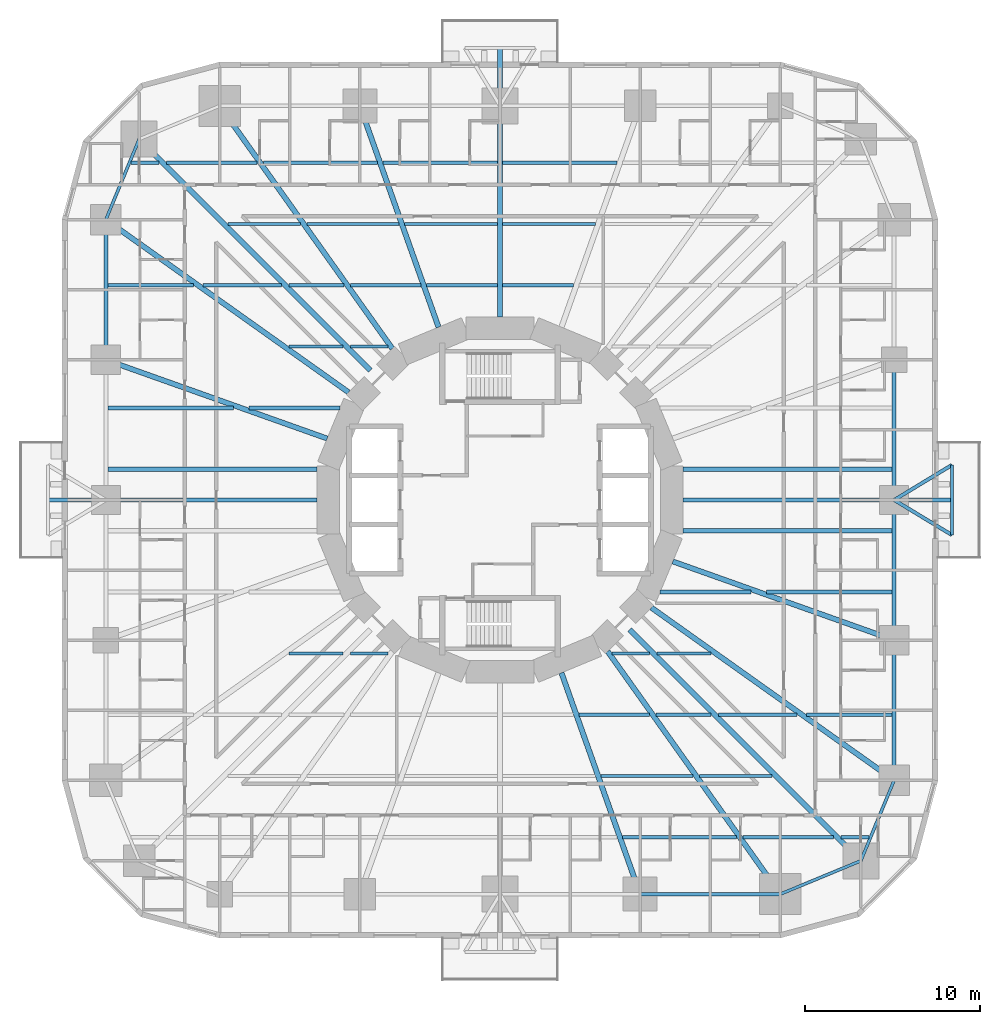
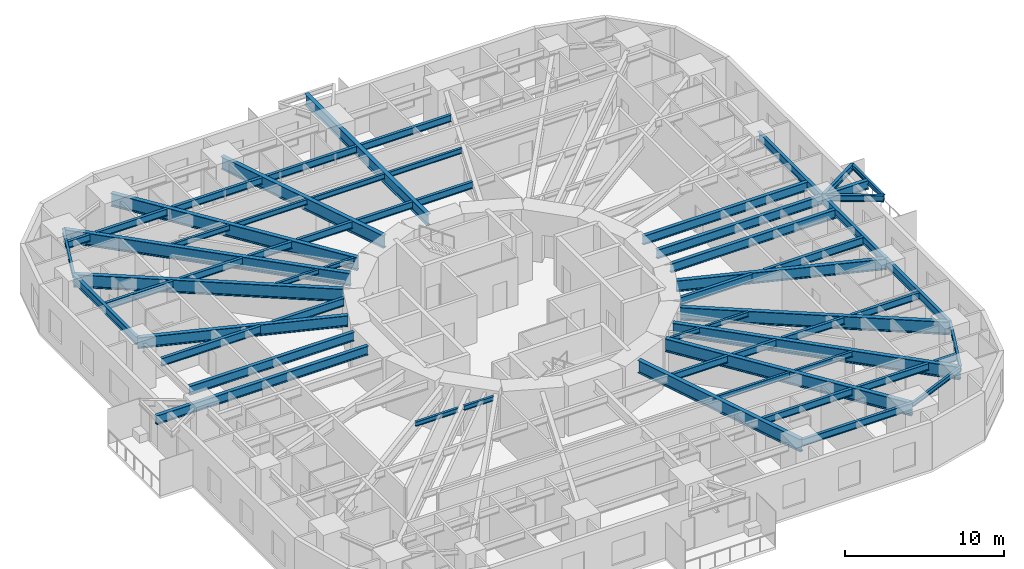
# One storey, part 2 of 14: 61 beams.
"""IFC4 building model written with IfcOpenShell, lengths in metres."""

from ifc_helpers import new_model, si_unit, direction, frame, origin, origin_2d, place, context, subcontext, project, spatial, i_section, extrude, material, material_profile, profile_set, type_object, element, save


model = new_model("IFC4")

# Units and contexts
model_context = context("Model", 3, precision=1e-05, world=origin(), true_north=direction((0.0, 1.0)))
body_context = subcontext(model_context, "Body", "Model", "MODEL_VIEW")
ifc_project = project(units=[si_unit("LENGTHUNIT", "METRE"), si_unit("AREAUNIT", "SQUARE_METRE"), si_unit("VOLUMEUNIT", "CUBIC_METRE"), si_unit("PLANEANGLEUNIT", "RADIAN"), si_unit("MASSUNIT", "GRAM", prefix="KILO")], contexts=[model_context])

# Site, building, storey
site_placement = place(None, origin())
site = spatial("IfcSite", under=ifc_project, at=site_placement, CompositionType="ELEMENT")
building_placement = place(site_placement, origin())
building = spatial("IfcBuilding", under=site, at=building_placement, Name="Nakasero Lantern House", CompositionType="ELEMENT")
storey_placement = place(building_placement, frame((0.0, 0.0, 46.800048828125)))
storey = spatial("IfcBuildingStorey", under=building, at=storey_placement, Name="L11", CompositionType="ELEMENT", Elevation=46.800048828125)

# Beams
ifc_material_1 = material(Name="Steel S355", Category="steel")
ifc_material_profile_1 = material_profile(ifc_material_1, i_section(OverallWidth=0.199462890625, OverallDepth=0.491943359375, WebThickness=0.01806640625, FlangeThickness=0.031982421875, FilletRadius=0.01025390625, at=origin_2d()), Name="UB 457x191x161")
ifc_profile_set_1 = profile_set([ifc_material_profile_1], Name="Steel S355")
beam_type_1 = type_object("IfcBeamType", Name="Balcony splay beam UB 457x191x161", PredefinedType="BEAM", material=ifc_profile_set_1)
for number, where, z_axis, x_axis, name in (
    (1, (22.5, 0.0, 3.404052734375), (0.855201230787, 0.518296107317, 0.0), (-0.518296107317, 0.855201230787, 0.0), "Balcony splay beam L12 B1-C03A"),
    (2, (22.5, 0.0, 3.404052734375), (0.855201230787, -0.518296107317, 0.0), (0.518296107317, 0.855201230787, 0.0), "Balcony splay beam L12 B1-C03B"),
):
    element("IfcBeam", number, at=place(storey_placement, frame(where, z_axis=z_axis, x_axis=x_axis)), inside=storey, type_object=beam_type_1, Name=name, PredefinedType="BEAM", context=body_context, shape_type="SweptSolid", body=[
        extrude(i_section(OverallWidth=0.199462890625, OverallDepth=0.491943359375, WebThickness=0.01806640625, FlangeThickness=0.031982421875, FilletRadius=0.01025390625, at=origin_2d()), origin(), (0.0, 0.0, 1.0), 3.85888671875),
    ])
ifc_material_2 = material(Name="Steel S355", Category="steel")
ifc_material_profile_2 = material_profile(ifc_material_2, i_section(OverallWidth=0.17138671875, OverallDepth=0.35498046875, WebThickness=0.00732421875, FlangeThickness=0.011474609375, FilletRadius=0.01025390625, at=origin_2d()), Name="UB 356x171x51")
ifc_profile_set_2 = profile_set([ifc_material_profile_2], Name="Steel S355")
beam_type_2 = type_object("IfcBeamType", Name="Balcony tie beam UB 356x171x51", PredefinedType="BEAM", material=ifc_profile_set_2)
beam_1_placement = place(storey_placement, frame((25.800048828125, 2.0, 3.472412109375), z_axis=(0.0, -1.0, 0.0), x_axis=(1.0, 0.0, 0.0)))
element("IfcBeam", 3, at=beam_1_placement, inside=storey, type_object=beam_type_2, Name="Balcony tie beam L12 B1-C03", PredefinedType="BEAM", context=body_context, shape_type="SweptSolid", body=[
    extrude(i_section(OverallWidth=0.17138671875, OverallDepth=0.35498046875, WebThickness=0.00732421875, FlangeThickness=0.011474609375, FilletRadius=0.01025390625, at=origin_2d()), origin(), (0.0, 0.0, 1.0), 4.0),
])
ifc_material_3 = material(Name="Steel S355", Category="steel")
ifc_material_profile_3 = material_profile(ifc_material_3, i_section(OverallWidth=0.17138671875, OverallDepth=0.35498046875, WebThickness=0.00732421875, FlangeThickness=0.011474609375, FilletRadius=0.01025390625, at=origin_2d()), Name="UB 356x171x51")
ifc_profile_set_3 = profile_set([ifc_material_profile_3], Name="Steel S355")
beam_type_3 = type_object("IfcBeamType", Name="Infill beam UB 356x171x51", PredefinedType="JOIST", material=ifc_profile_set_3)
beam_2_placement = place(storey_placement, frame((-12.0458984375, -8.75, 3.472412109375), z_axis=(1.0, 0.0, 0.0), x_axis=(0.0, 1.0, 0.0)))
element("IfcBeam", 4, at=beam_2_placement, inside=storey, type_object=beam_type_3, Name="Infill beam L12 05.1", PredefinedType="JOIST", context=body_context, shape_type="SweptSolid", body=[
    extrude(i_section(OverallWidth=0.17138671875, OverallDepth=0.35498046875, WebThickness=0.00732421875, FlangeThickness=0.011474609375, FilletRadius=0.01025390625, at=origin_2d()), origin(), (0.0, 0.0, 1.0), 3.083740234375),
])
for number, where, z_axis, x_axis, name in (
    (5, (-8.537841796875, -8.75, 3.472412109375), (1.0, 0.0, 0.0), (0.0, 1.0, 0.0), "Infill beam L12 05.2"),
    (6, (6.40625, -8.75, 3.472412109375), (1.0, 0.0, 0.0), (0.0, 1.0, 0.0), "Infill beam L12 05.3"),
):
    element("IfcBeam", number, at=place(storey_placement, frame(where, z_axis=z_axis, x_axis=x_axis)), inside=storey, type_object=beam_type_3, Name=name, PredefinedType="JOIST", context=body_context, shape_type="SweptSolid", body=[
        extrude(i_section(OverallWidth=0.17138671875, OverallDepth=0.35498046875, WebThickness=0.00732421875, FlangeThickness=0.011474609375, FilletRadius=0.01025390625, at=origin_2d()), origin(), (0.0, 0.0, 1.0), 2.131591796875),
    ])
for number, where, z_axis, x_axis, name in (
    (7, (8.962158203125, -8.75, 3.472412109375), (1.0, 0.0, 0.0), (0.0, 1.0, 0.0), "Infill beam L12 05.4"),
    (8, (-12.0458984375, 8.75, 3.472412109375), (1.0, 0.0, 0.0), (0.0, 1.0, 0.0), "Infill beam L12 10.1"),
):
    element("IfcBeam", number, at=place(storey_placement, frame(where, z_axis=z_axis, x_axis=x_axis)), inside=storey, type_object=beam_type_3, Name=name, PredefinedType="JOIST", context=body_context, shape_type="SweptSolid", body=[
        extrude(i_section(OverallWidth=0.17138671875, OverallDepth=0.35498046875, WebThickness=0.00732421875, FlangeThickness=0.011474609375, FilletRadius=0.01025390625, at=origin_2d()), origin(), (0.0, 0.0, 1.0), 3.083740234375),
    ])
beam_3_placement = place(storey_placement, frame((-8.537841796875, 8.75, 3.472412109375), z_axis=(1.0, 0.0, 0.0), x_axis=(0.0, 1.0, 0.0)))
element("IfcBeam", 9, at=beam_3_placement, inside=storey, type_object=beam_type_3, Name="Infill beam L12 10.2", PredefinedType="JOIST", context=body_context, shape_type="SweptSolid", body=[
    extrude(i_section(OverallWidth=0.17138671875, OverallDepth=0.35498046875, WebThickness=0.00732421875, FlangeThickness=0.011474609375, FilletRadius=0.01025390625, at=origin_2d()), origin(), (0.0, 0.0, 1.0), 2.131591796875),
])
ifc_material_4 = material(Name="Steel S355", Category="steel")
ifc_material_profile_4 = material_profile(ifc_material_4, i_section(OverallWidth=0.177978515625, OverallDepth=0.406494140625, WebThickness=0.0078125, FlangeThickness=0.0126953125, FilletRadius=0.01025390625, at=origin_2d()), Name="UB 406x178x60")
ifc_profile_set_4 = profile_set([ifc_material_profile_4], Name="Steel S355")
beam_type_4 = type_object("IfcBeamType", Name="Infill beam UB 406x178x60", PredefinedType="JOIST", material=ifc_profile_set_4)
beam_4_placement = place(storey_placement, frame((5.75927734375, -15.75, 3.44677734375), z_axis=(1.0, 0.0, 0.0), x_axis=(0.0, 1.0, 0.0)))
element("IfcBeam", 10, at=beam_4_placement, inside=storey, type_object=beam_type_4, Name="Infill beam L12 03.5", PredefinedType="JOIST", context=body_context, shape_type="SweptSolid", body=[
    extrude(i_section(OverallWidth=0.177978515625, OverallDepth=0.406494140625, WebThickness=0.0078125, FlangeThickness=0.0126953125, FilletRadius=0.01025390625, at=origin_2d()), origin(), (0.0, 0.0, 1.0), 5.256591796875),
])
for number, where, z_axis, x_axis, name in (
    (11, (11.384033203125, -15.75, 3.44677734375), (1.0, 0.0, 0.0), (0.0, 1.0, 0.0), "Infill beam L12 03.6"),
    (12, (-15.537841796875, 15.75, 3.44677734375), (1.0, 0.0, 0.0), (0.0, 1.0, 0.0), "Infill beam L12 12.1"),
):
    element("IfcBeam", number, at=place(storey_placement, frame(where, z_axis=z_axis, x_axis=x_axis)), inside=storey, type_object=beam_type_4, Name=name, PredefinedType="JOIST", context=body_context, shape_type="SweptSolid", body=[
        extrude(i_section(OverallWidth=0.177978515625, OverallDepth=0.406494140625, WebThickness=0.0078125, FlangeThickness=0.0126953125, FilletRadius=0.01025390625, at=origin_2d()), origin(), (0.0, 0.0, 1.0), 4.15380859375),
    ])
beam_5_placement = place(storey_placement, frame((-11.015869140625, 15.75, 3.44677734375), z_axis=(1.0, 0.0, 0.0), x_axis=(0.0, 1.0, 0.0)))
element("IfcBeam", 13, at=beam_5_placement, inside=storey, type_object=beam_type_4, Name="Infill beam L12 12.2", PredefinedType="JOIST", context=body_context, shape_type="SweptSolid", body=[
    extrude(i_section(OverallWidth=0.177978515625, OverallDepth=0.406494140625, WebThickness=0.0078125, FlangeThickness=0.0126953125, FilletRadius=0.01025390625, at=origin_2d()), origin(), (0.0, 0.0, 1.0), 5.256591796875),
])
for number, where, z_axis, x_axis, name in (
    (14, (-5.44091796875, 15.75, 3.44677734375), (1.0, 0.0, 0.0), (0.0, 1.0, 0.0), "Infill beam L12 12.3"),
    (15, (0.146240234375, 15.75, 3.44677734375), (1.0, 0.0, 0.0), (0.0, 1.0, 0.0), "Infill beam L12 12.4"),
):
    element("IfcBeam", number, at=place(storey_placement, frame(where, z_axis=z_axis, x_axis=x_axis)), inside=storey, type_object=beam_type_4, Name=name, PredefinedType="JOIST", context=body_context, shape_type="SweptSolid", body=[
        extrude(i_section(OverallWidth=0.177978515625, OverallDepth=0.406494140625, WebThickness=0.0078125, FlangeThickness=0.0126953125, FilletRadius=0.01025390625, at=origin_2d()), origin(), (0.0, 0.0, 1.0), 5.294677734375),
    ])
ifc_material_5 = material(Name="Steel S355", Category="steel")
ifc_material_profile_5 = material_profile(ifc_material_5, i_section(OverallWidth=0.208740234375, OverallDepth=0.5283203125, WebThickness=0.009521484375, FlangeThickness=0.01318359375, FilletRadius=0.0126953125, at=origin_2d()), Name="UB 533x210x82")
ifc_profile_set_5 = profile_set([ifc_material_profile_5], Name="Steel S355")
beam_type_5 = type_object("IfcBeamType", Name="Infill beam UB 533x210x82", PredefinedType="JOIST", material=ifc_profile_set_5)
beam_6_placement = place(storey_placement, frame((7.003662109375, -19.25, 3.3857421875), z_axis=(1.0, 0.0, 0.0), x_axis=(0.0, 1.0, 0.0)))
element("IfcBeam", 16, at=beam_6_placement, inside=storey, type_object=beam_type_5, Name="Infill beam L12 02.6", PredefinedType="JOIST", context=body_context, shape_type="SweptSolid", body=[
    extrude(i_section(OverallWidth=0.208740234375, OverallDepth=0.5283203125, WebThickness=0.009521484375, FlangeThickness=0.01318359375, FilletRadius=0.0126953125, at=origin_2d()), origin(), (0.0, 0.0, 1.0), 6.501220703125),
])
beam_7_placement = place(storey_placement, frame((13.873046875, -19.25, 3.3857421875), z_axis=(1.0, 0.0, 0.0), x_axis=(0.0, 1.0, 0.0)))
element("IfcBeam", 17, at=beam_7_placement, inside=storey, type_object=beam_type_5, Name="Infill beam L12 02.7", PredefinedType="JOIST", context=body_context, shape_type="SweptSolid", body=[
    extrude(i_section(OverallWidth=0.208740234375, OverallDepth=0.5283203125, WebThickness=0.009521484375, FlangeThickness=0.01318359375, FilletRadius=0.0126953125, at=origin_2d()), origin(), (0.0, 0.0, 1.0), 5.164794921875),
])
beam_8_placement = place(storey_placement, frame((19.462158203125, -19.25, 3.3857421875), z_axis=(1.0, 0.0, 0.0), x_axis=(0.0, 1.0, 0.0)))
element("IfcBeam", 18, at=beam_8_placement, inside=storey, type_object=beam_type_5, Name="Infill beam L12 02.8", PredefinedType="JOIST", context=body_context, shape_type="SweptSolid", body=[
    extrude(i_section(OverallWidth=0.208740234375, OverallDepth=0.5283203125, WebThickness=0.009521484375, FlangeThickness=0.01318359375, FilletRadius=0.0126953125, at=origin_2d()), origin(), (0.0, 0.0, 1.0), 1.598876953125),
])
beam_9_placement = place(storey_placement, frame((4.5146484375, -12.25, 3.3857421875), z_axis=(1.0, 0.0, 0.0), x_axis=(0.0, 1.0, 0.0)))
element("IfcBeam", 19, at=beam_9_placement, inside=storey, type_object=beam_type_5, Name="Infill beam L12 04.7", PredefinedType="JOIST", context=body_context, shape_type="SweptSolid", body=[
    extrude(i_section(OverallWidth=0.208740234375, OverallDepth=0.5283203125, WebThickness=0.009521484375, FlangeThickness=0.01318359375, FilletRadius=0.0126953125, at=origin_2d()), origin(), (0.0, 0.0, 1.0), 4.012451171875),
])
beam_10_placement = place(storey_placement, frame((8.895263671875, -12.25, 3.3857421875), z_axis=(1.0, 0.0, 0.0), x_axis=(0.0, 1.0, 0.0)))
element("IfcBeam", 20, at=beam_10_placement, inside=storey, type_object=beam_type_5, Name="Infill beam L12 04.8", PredefinedType="JOIST", context=body_context, shape_type="SweptSolid", body=[
    extrude(i_section(OverallWidth=0.208740234375, OverallDepth=0.5283203125, WebThickness=0.009521484375, FlangeThickness=0.01318359375, FilletRadius=0.0126953125, at=origin_2d()), origin(), (0.0, 0.0, 1.0), 3.142578125),
])
beam_11_placement = place(storey_placement, frame((12.462158203125, -12.25, 3.3857421875), z_axis=(1.0, 0.0, 0.0), x_axis=(0.0, 1.0, 0.0)))
element("IfcBeam", 21, at=beam_11_placement, inside=storey, type_object=beam_type_5, Name="Infill beam L12 04.9", PredefinedType="JOIST", context=body_context, shape_type="SweptSolid", body=[
    extrude(i_section(OverallWidth=0.208740234375, OverallDepth=0.5283203125, WebThickness=0.009521484375, FlangeThickness=0.01318359375, FilletRadius=0.0126953125, at=origin_2d()), origin(), (0.0, 0.0, 1.0), 4.505615234375),
])
for number, where, z_axis, x_axis, name in (
    (22, (17.4853515625, -12.25, 3.3857421875), (1.0, 0.0, 0.0), (0.0, 1.0, 0.0), "Infill beam L12 04.10"),
    (23, (-22.385498046875, 12.25, 3.3857421875), (1.0, 0.0, 0.0), (0.0, 1.0, 0.0), "Infill beam L12 11.1"),
):
    element("IfcBeam", number, at=place(storey_placement, frame(where, z_axis=z_axis, x_axis=x_axis)), inside=storey, type_object=beam_type_5, Name=name, PredefinedType="JOIST", context=body_context, shape_type="SweptSolid", body=[
        extrude(i_section(OverallWidth=0.208740234375, OverallDepth=0.5283203125, WebThickness=0.009521484375, FlangeThickness=0.01318359375, FilletRadius=0.0126953125, at=origin_2d()), origin(), (0.0, 0.0, 1.0), 4.900146484375),
    ])
beam_12_placement = place(storey_placement, frame((-16.9677734375, 12.25, 3.3857421875), z_axis=(1.0, 0.0, 0.0), x_axis=(0.0, 1.0, 0.0)))
element("IfcBeam", 24, at=beam_12_placement, inside=storey, type_object=beam_type_5, Name="Infill beam L12 11.2", PredefinedType="JOIST", context=body_context, shape_type="SweptSolid", body=[
    extrude(i_section(OverallWidth=0.208740234375, OverallDepth=0.5283203125, WebThickness=0.009521484375, FlangeThickness=0.01318359375, FilletRadius=0.0126953125, at=origin_2d()), origin(), (0.0, 0.0, 1.0), 4.505615234375),
])
beam_13_placement = place(storey_placement, frame((-12.037841796875, 12.25, 3.3857421875), z_axis=(1.0, 0.0, 0.0), x_axis=(0.0, 1.0, 0.0)))
element("IfcBeam", 25, at=beam_13_placement, inside=storey, type_object=beam_type_5, Name="Infill beam L12 11.3", PredefinedType="JOIST", context=body_context, shape_type="SweptSolid", body=[
    extrude(i_section(OverallWidth=0.208740234375, OverallDepth=0.5283203125, WebThickness=0.009521484375, FlangeThickness=0.01318359375, FilletRadius=0.0126953125, at=origin_2d()), origin(), (0.0, 0.0, 1.0), 3.142578125),
])
beam_14_placement = place(storey_placement, frame((-8.527099609375, 12.25, 3.3857421875), z_axis=(1.0, 0.0, 0.0), x_axis=(0.0, 1.0, 0.0)))
element("IfcBeam", 26, at=beam_14_placement, inside=storey, type_object=beam_type_5, Name="Infill beam L12 11.4", PredefinedType="JOIST", context=body_context, shape_type="SweptSolid", body=[
    extrude(i_section(OverallWidth=0.208740234375, OverallDepth=0.5283203125, WebThickness=0.009521484375, FlangeThickness=0.01318359375, FilletRadius=0.0126953125, at=origin_2d()), origin(), (0.0, 0.0, 1.0), 4.012451171875),
])
for number, where, z_axis, x_axis, name in (
    (27, (-4.1962890625, 12.25, 3.3857421875), (1.0, 0.0, 0.0), (0.0, 1.0, 0.0), "Infill beam L12 11.5"),
    (28, (0.146240234375, 12.25, 3.3857421875), (1.0, 0.0, 0.0), (0.0, 1.0, 0.0), "Infill beam L12 11.6"),
):
    element("IfcBeam", number, at=place(storey_placement, frame(where, z_axis=z_axis, x_axis=x_axis)), inside=storey, type_object=beam_type_5, Name=name, PredefinedType="JOIST", context=body_context, shape_type="SweptSolid", body=[
        extrude(i_section(OverallWidth=0.208740234375, OverallDepth=0.5283203125, WebThickness=0.009521484375, FlangeThickness=0.01318359375, FilletRadius=0.0126953125, at=origin_2d()), origin(), (0.0, 0.0, 1.0), 4.050048828125),
    ])
beam_15_placement = place(storey_placement, frame((-21.06103515625, 19.25, 3.3857421875), z_axis=(1.0, 0.0, 0.0), x_axis=(0.0, 1.0, 0.0)))
element("IfcBeam", 29, at=beam_15_placement, inside=storey, type_object=beam_type_5, Name="Infill beam L12 13.1", PredefinedType="JOIST", context=body_context, shape_type="SweptSolid", body=[
    extrude(i_section(OverallWidth=0.208740234375, OverallDepth=0.5283203125, WebThickness=0.009521484375, FlangeThickness=0.01318359375, FilletRadius=0.0126953125, at=origin_2d()), origin(), (0.0, 0.0, 1.0), 1.598876953125),
])
beam_16_placement = place(storey_placement, frame((-19.037841796875, 19.25, 3.3857421875), z_axis=(1.0, 0.0, 0.0), x_axis=(0.0, 1.0, 0.0)))
element("IfcBeam", 30, at=beam_16_placement, inside=storey, type_object=beam_type_5, Name="Infill beam L12 13.2", PredefinedType="JOIST", context=body_context, shape_type="SweptSolid", body=[
    extrude(i_section(OverallWidth=0.208740234375, OverallDepth=0.5283203125, WebThickness=0.009521484375, FlangeThickness=0.01318359375, FilletRadius=0.0126953125, at=origin_2d()), origin(), (0.0, 0.0, 1.0), 5.164794921875),
])
beam_17_placement = place(storey_placement, frame((-13.5048828125, 19.25, 3.3857421875), z_axis=(1.0, 0.0, 0.0), x_axis=(0.0, 1.0, 0.0)))
element("IfcBeam", 31, at=beam_17_placement, inside=storey, type_object=beam_type_5, Name="Infill beam L12 13.3", PredefinedType="JOIST", context=body_context, shape_type="SweptSolid", body=[
    extrude(i_section(OverallWidth=0.208740234375, OverallDepth=0.5283203125, WebThickness=0.009521484375, FlangeThickness=0.01318359375, FilletRadius=0.0126953125, at=origin_2d()), origin(), (0.0, 0.0, 1.0), 6.501220703125),
])
for number, where, z_axis, x_axis, name in (
    (32, (-6.685302734375, 19.25, 3.3857421875), (1.0, 0.0, 0.0), (0.0, 1.0, 0.0), "Infill beam L12 13.4"),
    (33, (0.146240234375, 19.25, 3.3857421875), (1.0, 0.0, 0.0), (0.0, 1.0, 0.0), "Infill beam L12 13.5"),
):
    element("IfcBeam", number, at=place(storey_placement, frame(where, z_axis=z_axis, x_axis=x_axis)), inside=storey, type_object=beam_type_5, Name=name, PredefinedType="JOIST", context=body_context, shape_type="SweptSolid", body=[
        extrude(i_section(OverallWidth=0.208740234375, OverallDepth=0.5283203125, WebThickness=0.009521484375, FlangeThickness=0.01318359375, FilletRadius=0.0126953125, at=origin_2d()), origin(), (0.0, 0.0, 1.0), 6.5390625),
    ])
ifc_material_6 = material(Name="Steel S355", Category="steel")
ifc_material_profile_6 = material_profile(ifc_material_6, i_section(OverallWidth=0.2275390625, OverallDepth=0.6025390625, WebThickness=0.010498046875, FlangeThickness=0.014892578125, FilletRadius=0.0126953125, at=origin_2d()), Name="UB 610x229x101")
ifc_profile_set_6 = profile_set([ifc_material_profile_6], Name="Steel S355")
beam_type_6 = type_object("IfcBeamType", Name="Infill beam UB 610x229x101", PredefinedType="JOIST", material=ifc_profile_set_6)
beam_18_placement = place(storey_placement, frame((9.144775390625, -5.25, 3.3486328125), z_axis=(1.0, 0.0, 0.0), x_axis=(0.0, 1.0, 0.0)))
element("IfcBeam", 34, at=beam_18_placement, inside=storey, type_object=beam_type_6, Name="Infill beam L12 06.3", PredefinedType="JOIST", context=body_context, shape_type="SweptSolid", body=[
    extrude(i_section(OverallWidth=0.2275390625, OverallDepth=0.6025390625, WebThickness=0.010498046875, FlangeThickness=0.014892578125, FilletRadius=0.0126953125, at=origin_2d()), origin(), (0.0, 0.0, 1.0), 5.184326171875),
])
for number, where, z_axis, x_axis, name in (
    (35, (15.2021484375, -5.25, 3.3486328125), (1.0, 0.0, 0.0), (0.0, 1.0, 0.0), "Infill beam L12 06.4"),
    (36, (-22.385498046875, 5.25, 3.3486328125), (1.0, 0.0, 0.0), (0.0, 1.0, 0.0), "Infill beam L12 09.1"),
):
    element("IfcBeam", number, at=place(storey_placement, frame(where, z_axis=z_axis, x_axis=x_axis)), inside=storey, type_object=beam_type_6, Name=name, PredefinedType="JOIST", context=body_context, shape_type="SweptSolid", body=[
        extrude(i_section(OverallWidth=0.2275390625, OverallDepth=0.6025390625, WebThickness=0.010498046875, FlangeThickness=0.014892578125, FilletRadius=0.0126953125, at=origin_2d()), origin(), (0.0, 0.0, 1.0), 7.183349609375),
    ])
beam_19_placement = place(storey_placement, frame((-14.3291015625, 5.25, 3.3486328125), z_axis=(1.0, 0.0, 0.0), x_axis=(0.0, 1.0, 0.0)))
element("IfcBeam", 37, at=beam_19_placement, inside=storey, type_object=beam_type_6, Name="Infill beam L12 09.2", PredefinedType="JOIST", context=body_context, shape_type="SweptSolid", body=[
    extrude(i_section(OverallWidth=0.2275390625, OverallDepth=0.6025390625, WebThickness=0.010498046875, FlangeThickness=0.014892578125, FilletRadius=0.0126953125, at=origin_2d()), origin(), (0.0, 0.0, 1.0), 5.184326171875),
])
ifc_material_7 = material(Name="Steel S355", Category="steel")
ifc_material_profile_7 = material_profile(ifc_material_7, i_section(OverallWidth=0.253662109375, OverallDepth=0.68359375, WebThickness=0.012451171875, FlangeThickness=0.01904296875, FilletRadius=0.01513671875, at=origin_2d()), Name="UB 686x254x140")
ifc_profile_set_7 = profile_set([ifc_material_profile_7], Name="Steel S355")
beam_type_7 = type_object("IfcBeamType", Name="Infill beam UB 686x254x140", PredefinedType="JOIST", material=ifc_profile_set_7)
for number, where, z_axis, x_axis, name in (
    (38, (10.457763671875, -1.75, 3.30810546875), (1.0, 0.0, 0.0), (0.0, 1.0, 0.0), "Infill beam L12 07.2"),
    (39, (-22.385498046875, 1.75, 3.30810546875), (1.0, 0.0, 0.0), (0.0, 1.0, 0.0), "Infill beam L12 08.1"),
    (40, (10.457763671875, 1.75, 3.30810546875), (1.0, 0.0, 0.0), (0.0, 1.0, 0.0), "Infill beam L12 08.2"),
):
    element("IfcBeam", number, at=place(storey_placement, frame(where, z_axis=z_axis, x_axis=x_axis)), inside=storey, type_object=beam_type_7, Name=name, PredefinedType="JOIST", context=body_context, shape_type="SweptSolid", body=[
        extrude(i_section(OverallWidth=0.253662109375, OverallDepth=0.68359375, WebThickness=0.012451171875, FlangeThickness=0.01904296875, FilletRadius=0.01513671875, at=origin_2d()), origin(), (0.0, 0.0, 1.0), 11.927734375),
    ])
ifc_material_8 = material(Name="Steel S355", Category="steel")
ifc_material_profile_8 = material_profile(ifc_material_8, i_section(OverallWidth=0.300048828125, OverallDepth=0.97021484375, WebThickness=0.01611328125, FlangeThickness=0.02099609375, FilletRadius=0.030029296875, at=origin_2d()), Name="UB 1016x305x222")
ifc_profile_set_8 = profile_set([ifc_material_profile_8], Name="Steel S355")
beam_type_8 = type_object("IfcBeamType", Name="Primary beam UB 1016x305x222, span 12 to 15 m", PredefinedType="BEAM", material=ifc_profile_set_8)
for number, where, z_axis, x_axis, name in (
    (41, (-8.0, 22.5, 3.164794921875), (0.335010745293, -0.942214307118, 0.0), (0.942214307118, 0.335010745293, 0.0), "Primary beam L12 B1-C10"),
    (42, (8.0, -22.5, 3.164794921875), (-0.335010745293, 0.942214307118, 0.0), (-0.942214307118, -0.335010745293, 0.0), "Primary beam L12 B1-C22"),
):
    element("IfcBeam", number, at=place(storey_placement, frame(where, z_axis=z_axis, x_axis=x_axis)), inside=storey, type_object=beam_type_8, Name=name, PredefinedType="BEAM", context=body_context, shape_type="SweptSolid", body=[
        extrude(i_section(OverallWidth=0.300048828125, OverallDepth=0.97021484375, WebThickness=0.01611328125, FlangeThickness=0.02099609375, FilletRadius=0.030029296875, at=origin_2d()), origin(), (0.0, 0.0, 1.0), 13.408447265625),
    ])
ifc_material_9 = material(Name="Steel S355", Category="steel")
ifc_material_profile_9 = material_profile(ifc_material_9, i_section(OverallWidth=0.300048828125, OverallDepth=0.989990234375, WebThickness=0.0166015625, FlangeThickness=0.031005859375, FilletRadius=0.030029296875, at=origin_2d()), Name="UB 1016x305x272")
ifc_profile_set_9 = profile_set([ifc_material_profile_9], Name="Steel S355")
beam_type_9 = type_object("IfcBeamType", Name="Primary beam UB 1016x305x272, span over 15 m", PredefinedType="BEAM", material=ifc_profile_set_9)
beam_20_placement = place(storey_placement, frame((22.5, -16.0, 3.15478515625), z_axis=(-0.814952159915, 0.579528236629, 0.0), x_axis=(-0.579528236629, -0.814952159915, 0.0)))
element("IfcBeam", 43, at=beam_20_placement, inside=storey, type_object=beam_type_9, Name="Primary beam L12 B1-C01", PredefinedType="BEAM", context=body_context, shape_type="SweptSolid", body=[
    extrude(i_section(OverallWidth=0.300048828125, OverallDepth=0.989990234375, WebThickness=0.0166015625, FlangeThickness=0.031005859375, FilletRadius=0.030029296875, at=origin_2d()), origin(), (0.0, 0.0, 1.0), 17.003173828125),
])
beam_21_placement = place(storey_placement, frame((-20.59619140625, 20.59619140625, 3.15478515625), z_axis=(0.707106781187, -0.707106781187, 0.0), x_axis=(0.707106781187, 0.707106781187, 0.0)))
element("IfcBeam", 44, at=beam_21_placement, inside=storey, type_object=beam_type_9, Name="Primary beam L12 B1-C12", PredefinedType="BEAM", context=body_context, shape_type="SweptSolid", body=[
    extrude(i_section(OverallWidth=0.300048828125, OverallDepth=0.989990234375, WebThickness=0.0166015625, FlangeThickness=0.031005859375, FilletRadius=0.030029296875, at=origin_2d()), origin(), (0.0, 0.0, 1.0), 18.669677734375),
])
beam_22_placement = place(storey_placement, frame((-22.5, 16.0, 3.15478515625), z_axis=(0.814952159915, -0.579528236629, 0.0), x_axis=(0.579528236629, 0.814952159915, 0.0)))
element("IfcBeam", 45, at=beam_22_placement, inside=storey, type_object=beam_type_9, Name="Primary beam L12 B1-C13", PredefinedType="BEAM", context=body_context, shape_type="SweptSolid", body=[
    extrude(i_section(OverallWidth=0.300048828125, OverallDepth=0.989990234375, WebThickness=0.0166015625, FlangeThickness=0.031005859375, FilletRadius=0.030029296875, at=origin_2d()), origin(), (0.0, 0.0, 1.0), 17.003173828125),
])
beam_23_placement = place(storey_placement, frame((20.59619140625, -20.59619140625, 3.15478515625), z_axis=(-0.707106781187, 0.707106781187, 0.0), x_axis=(-0.707106781187, -0.707106781187, 0.0)))
element("IfcBeam", 46, at=beam_23_placement, inside=storey, type_object=beam_type_9, Name="Primary beam L12 B1-C24", PredefinedType="BEAM", context=body_context, shape_type="SweptSolid", body=[
    extrude(i_section(OverallWidth=0.300048828125, OverallDepth=0.989990234375, WebThickness=0.0166015625, FlangeThickness=0.031005859375, FilletRadius=0.030029296875, at=origin_2d()), origin(), (0.0, 0.0, 1.0), 18.669677734375),
])
ifc_material_10 = material(Name="Steel S355", Category="steel")
ifc_material_profile_10 = material_profile(ifc_material_10, i_section(OverallWidth=0.300048828125, OverallDepth=1.0, WebThickness=0.01904296875, FlangeThickness=0.035888671875, FilletRadius=0.030029296875, at=origin_2d()), Name="UB 1016x305x314")
ifc_profile_set_10 = profile_set([ifc_material_profile_10], Name="Steel S355")
beam_type_10 = type_object("IfcBeamType", Name="Primary beam UB 1016x305x314, span over 15 m", PredefinedType="BEAM", material=ifc_profile_set_10)
for number, where, z_axis, x_axis, name in (
    (47, (-16.0, 22.5, 3.14990234375), (0.579528236629, -0.814952159915, 0.0), (0.814952159915, 0.579528236629, 0.0), "Primary beam L12 B1-C11"),
    (48, (16.0, -22.5, 3.14990234375), (-0.579528236629, 0.814952159915, 0.0), (-0.814952159915, -0.579528236629, 0.0), "Primary beam L12 B1-C23"),
):
    element("IfcBeam", number, at=place(storey_placement, frame(where, z_axis=z_axis, x_axis=x_axis)), inside=storey, type_object=beam_type_10, Name=name, PredefinedType="BEAM", context=body_context, shape_type="SweptSolid", body=[
        extrude(i_section(OverallWidth=0.300048828125, OverallDepth=1.0, WebThickness=0.01904296875, FlangeThickness=0.035888671875, FilletRadius=0.030029296875, at=origin_2d()), origin(), (0.0, 0.0, 1.0), 17.003173828125),
    ])
ifc_material_11 = material(Name="Steel S355", Category="steel")
ifc_material_profile_11 = material_profile(ifc_material_11, i_section(OverallWidth=0.255859375, OverallDepth=0.69287109375, WebThickness=0.014404296875, FlangeThickness=0.023681640625, FilletRadius=0.01513671875, at=origin_2d()), Name="UB 686x254x170")
ifc_profile_set_11 = profile_set([ifc_material_profile_11], Name="Steel S355")
beam_type_11 = type_object("IfcBeamType", Name="Primary beam UB 686x254x170, span 12 to 15 m", PredefinedType="BEAM", material=ifc_profile_set_11)
for number, where, z_axis, x_axis, name in (
    (49, (25.800048828125, 0.0, 3.303466796875), (-1.0, 0.0, 0.0), (0.0, -1.0, 0.0), "Primary beam L12 B1-C03"),
    (50, (-25.800048828125, 0.0, 3.303466796875), (1.0, 0.0, 0.0), (0.0, 1.0, 0.0), "Primary beam L12 B1-C15"),
):
    element("IfcBeam", number, at=place(storey_placement, frame(where, z_axis=z_axis, x_axis=x_axis)), inside=storey, type_object=beam_type_11, Name=name, PredefinedType="BEAM", context=body_context, shape_type="SweptSolid", body=[
        extrude(i_section(OverallWidth=0.255859375, OverallDepth=0.69287109375, WebThickness=0.014404296875, FlangeThickness=0.023681640625, FilletRadius=0.01513671875, at=origin_2d()), origin(), (0.0, 0.0, 1.0), 15.34228515625),
    ])
ifc_material_12 = material(Name="Steel S355", Category="steel")
ifc_material_profile_12 = material_profile(ifc_material_12, i_section(OverallWidth=0.29248046875, OverallDepth=0.8408203125, WebThickness=0.0146484375, FlangeThickness=0.02685546875, FilletRadius=0.017822265625, at=origin_2d()), Name="UB 838x292x194")
ifc_profile_set_12 = profile_set([ifc_material_profile_12], Name="Steel S355")
beam_type_12 = type_object("IfcBeamType", Name="Primary beam UB 838x292x194, span 12 to 15 m", PredefinedType="BEAM", material=ifc_profile_set_12)
beam_24_placement = place(storey_placement, frame((22.5, -8.0, 3.2294921875), z_axis=(-0.942214307118, 0.335010745293, 0.0), x_axis=(-0.335010745293, -0.942214307118, 0.0)))
element("IfcBeam", 51, at=beam_24_placement, inside=storey, type_object=beam_type_12, Name="Primary beam L12 B1-C02", PredefinedType="BEAM", context=body_context, shape_type="SweptSolid", body=[
    extrude(i_section(OverallWidth=0.29248046875, OverallDepth=0.8408203125, WebThickness=0.0146484375, FlangeThickness=0.02685546875, FilletRadius=0.017822265625, at=origin_2d()), origin(), (0.0, 0.0, 1.0), 13.408447265625),
])
beam_25_placement = place(storey_placement, frame((0.0, 25.800048828125, 3.2294921875), z_axis=(0.0, -1.0, 0.0), x_axis=(1.0, 0.0, 0.0)))
element("IfcBeam", 52, at=beam_25_placement, inside=storey, type_object=beam_type_12, Name="Primary beam L12 B1-C09", PredefinedType="BEAM", context=body_context, shape_type="SweptSolid", body=[
    extrude(i_section(OverallWidth=0.29248046875, OverallDepth=0.8408203125, WebThickness=0.0146484375, FlangeThickness=0.02685546875, FilletRadius=0.017822265625, at=origin_2d()), origin(), (0.0, 0.0, 1.0), 15.34228515625),
])
beam_26_placement = place(storey_placement, frame((-22.5, 8.0, 3.2294921875), z_axis=(0.942214307118, -0.335010745293, 0.0), x_axis=(0.335010745293, 0.942214307118, 0.0)))
element("IfcBeam", 53, at=beam_26_placement, inside=storey, type_object=beam_type_12, Name="Primary beam L12 B1-C14", PredefinedType="BEAM", context=body_context, shape_type="SweptSolid", body=[
    extrude(i_section(OverallWidth=0.29248046875, OverallDepth=0.8408203125, WebThickness=0.0146484375, FlangeThickness=0.02685546875, FilletRadius=0.017822265625, at=origin_2d()), origin(), (0.0, 0.0, 1.0), 13.408447265625),
])
ifc_material_13 = material(Name="Steel S355", Category="steel")
ifc_material_profile_13 = material_profile(ifc_material_13, i_section(OverallWidth=0.17138671875, OverallDepth=0.35498046875, WebThickness=0.00732421875, FlangeThickness=0.011474609375, FilletRadius=0.01025390625, at=origin_2d()), Name="UB 356x171x51")
ifc_profile_set_13 = profile_set([ifc_material_profile_13], Name="Steel S355")
beam_type_13 = type_object("IfcBeamType", Name="Ring beam UB 356x171x51", PredefinedType="BEAM", material=ifc_profile_set_13)
for number, where, z_axis, x_axis, name in (
    (54, (-20.59619140625, 20.59619140625, 3.472412109375), (-0.382684080569, -0.923879264016, 0.0), (0.923879264016, -0.382684080569, 0.0), "Ring beam L12 B1-C12"),
    (55, (16.0, -22.5, 3.472412109375), (0.923879264016, 0.382684080569, 0.0), (-0.382684080569, 0.923879264016, 0.0), "Ring beam L12 B1-C23"),
    (56, (20.59619140625, -20.59619140625, 3.472412109375), (0.382684080569, 0.923879264016, 0.0), (-0.923879264016, 0.382684080569, 0.0), "Ring beam L12 B1-C24"),
):
    element("IfcBeam", number, at=place(storey_placement, frame(where, z_axis=z_axis, x_axis=x_axis)), inside=storey, type_object=beam_type_13, Name=name, PredefinedType="BEAM", context=body_context, shape_type="SweptSolid", body=[
        extrude(i_section(OverallWidth=0.17138671875, OverallDepth=0.35498046875, WebThickness=0.00732421875, FlangeThickness=0.011474609375, FilletRadius=0.01025390625, at=origin_2d()), origin(), (0.0, 0.0, 1.0), 4.974853515625),
    ])
ifc_material_14 = material(Name="Steel S355", Category="steel")
ifc_material_profile_14 = material_profile(ifc_material_14, i_section(OverallWidth=0.2099609375, OverallDepth=0.53662109375, WebThickness=0.0107421875, FlangeThickness=0.017333984375, FilletRadius=0.0126953125, at=origin_2d()), Name="UB 533x210x101")
ifc_profile_set_14 = profile_set([ifc_material_profile_14], Name="Steel S355")
beam_type_14 = type_object("IfcBeamType", Name="Ring beam UB 533x210x101", PredefinedType="BEAM", material=ifc_profile_set_14)
beam_27_placement = place(storey_placement, frame((8.0, -22.5, 3.381591796875), z_axis=(1.0, 0.0, 0.0), x_axis=(0.0, 1.0, 0.0)))
element("IfcBeam", 57, at=beam_27_placement, inside=storey, type_object=beam_type_14, Name="Ring beam L12 B1-C22", PredefinedType="BEAM", context=body_context, shape_type="SweptSolid", body=[
    extrude(i_section(OverallWidth=0.2099609375, OverallDepth=0.53662109375, WebThickness=0.0107421875, FlangeThickness=0.017333984375, FilletRadius=0.0126953125, at=origin_2d()), origin(), (0.0, 0.0, 1.0), 8.0),
])
ifc_material_15 = material(Name="Steel S355", Category="steel")
ifc_material_profile_15 = material_profile(ifc_material_15, i_section(OverallWidth=0.22900390625, OverallDepth=0.6123046875, WebThickness=0.011962890625, FlangeThickness=0.01953125, FilletRadius=0.0126953125, at=origin_2d()), Name="UB 610x229x125")
ifc_profile_set_15 = profile_set([ifc_material_profile_15], Name="Steel S355")
beam_type_15 = type_object("IfcBeamType", Name="Ring beam UB 610x229x125", PredefinedType="BEAM", material=ifc_profile_set_15)
for number, where, z_axis, x_axis, name in (
    (58, (22.5, -16.0, 3.34375), (0.0, 1.0, 0.0), (-1.0, 0.0, 0.0), "Ring beam L12 B1-C01"),
    (59, (22.5, -8.0, 3.34375), (0.0, 1.0, 0.0), (-1.0, 0.0, 0.0), "Ring beam L12 B1-C02"),
    (60, (22.5, 0.0, 3.34375), (0.0, 1.0, 0.0), (-1.0, 0.0, 0.0), "Ring beam L12 B1-C03"),
    (61, (-22.5, 16.0, 3.34375), (0.0, -1.0, 0.0), (1.0, 0.0, 0.0), "Ring beam L12 B1-C13"),
):
    element("IfcBeam", number, at=place(storey_placement, frame(where, z_axis=z_axis, x_axis=x_axis)), inside=storey, type_object=beam_type_15, Name=name, PredefinedType="BEAM", context=body_context, shape_type="SweptSolid", body=[
        extrude(i_section(OverallWidth=0.22900390625, OverallDepth=0.6123046875, WebThickness=0.011962890625, FlangeThickness=0.01953125, FilletRadius=0.0126953125, at=origin_2d()), origin(), (0.0, 0.0, 1.0), 8.0),
    ])

save(model, "model.ifc")
